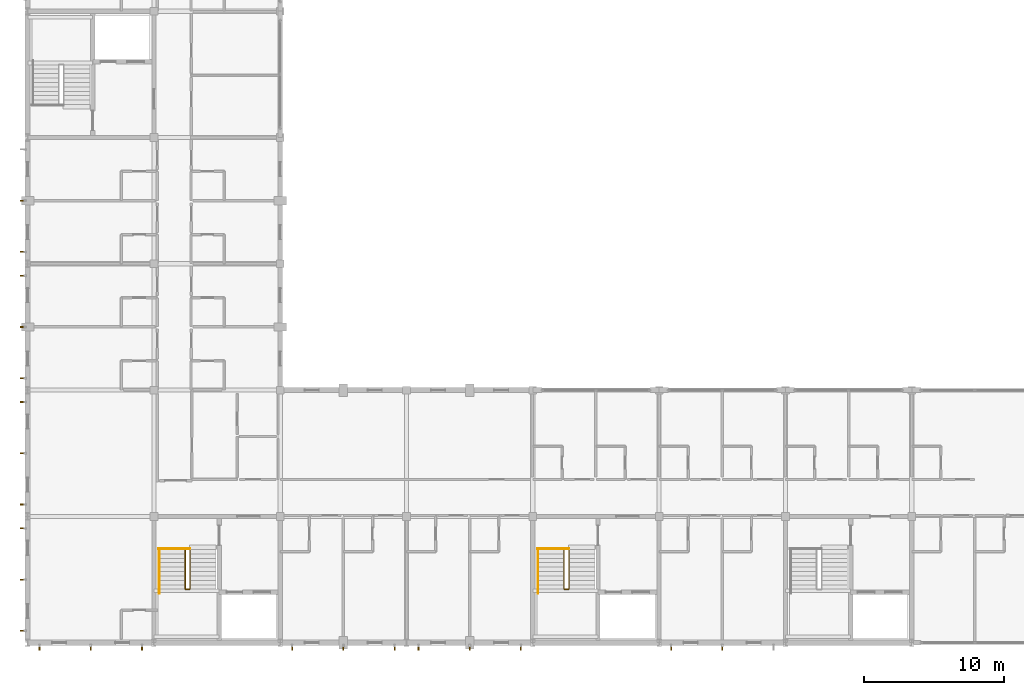
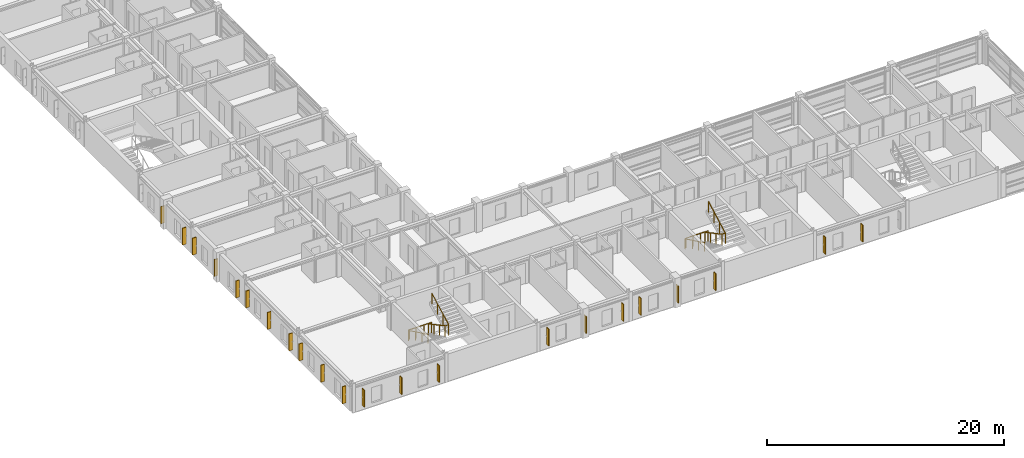
# One storey, part 34 of 37: 22 shading devices, 6 railings.
"""IFC4 building model written with IfcOpenShell, lengths in metres."""

from ifc_helpers import new_model, si_unit, direction, frame, origin, origin_2d, place, context, subcontext, project, spatial, rectangle, circle, extrude, material, type_object, element, save


model = new_model("IFC4")

# Units and contexts
model_context = context("Model", 3, precision=1e-05, world=origin(), true_north=direction((0.0, 1.0)))
body_context = subcontext(model_context, "Body", "Model", "MODEL_VIEW")
ifc_project = project(units=[si_unit("LENGTHUNIT", "METRE"), si_unit("AREAUNIT", "SQUARE_METRE"), si_unit("VOLUMEUNIT", "CUBIC_METRE"), si_unit("PLANEANGLEUNIT", "RADIAN"), si_unit("MASSUNIT", "GRAM", prefix="KILO")], contexts=[model_context])

# Site, building, storey
site_placement = place(None, origin())
site = spatial("IfcSite", under=ifc_project, at=site_placement, CompositionType="ELEMENT")
building_placement = place(site_placement, origin())
building = spatial("IfcBuilding", under=site, at=building_placement, Name="Palais des Congres Ocreval", CompositionType="ELEMENT")
storey_placement = place(building_placement, frame((0.0, 0.0, 11.52001953125)))
storey = spatial("IfcBuildingStorey", under=building, at=storey_placement, Name="L03", CompositionType="ELEMENT", Elevation=11.52001953125)

# Railings
ifc_material_1 = material(Name="Anodized bronze aluminium", Category="aluminium")
railing_type_1 = type_object("IfcRailingType", Name="Bronze Stair and Ramp Handrail 900", PredefinedType="HANDRAIL", material=ifc_material_1)
for number, where, name in (
    (1, (9.3798828125, 6.64990234375, 0.152099609375), "Stair Wall Handrail ST01 L03"),
    (2, (36.3798828125, 6.64990234375, 0.152099609375), "Stair Wall Handrail ST02 L03"),
):
    element("IfcRailing", number, at=place(storey_placement, frame(where)), inside=storey, type_object=railing_type_1, Name=name, PredefinedType="HANDRAIL", context=body_context, shape_type="SweptSolid", body=[
        extrude(circle(Radius=0.02392578125, at=origin_2d()), frame((0.0, 0.0, 0.8759765625), z_axis=(0.0, -0.900648683885, 0.43454798149), x_axis=(1.0, 0.0, 0.0)), (0.0, 0.0, 1.0), 3.497314453125),
        extrude(circle(Radius=0.02099609375, at=origin_2d()), origin(), (0.0, 0.0, 1.0), 0.851806640625),
        extrude(circle(Radius=0.02099609375, at=origin_2d()), frame((0.0, -1.050048828125, 0.506591796875)), (0.0, 0.0, 1.0), 0.851806640625),
        extrude(circle(Radius=0.02099609375, at=origin_2d()), frame((0.0, -2.099853515625, 1.01318359375)), (0.0, 0.0, 1.0), 0.851806640625),
        extrude(circle(Radius=0.02099609375, at=origin_2d()), frame((0.0, -3.14990234375, 1.519775390625)), (0.0, 0.0, 1.0), 0.851806640625),
    ])
ifc_material_2 = material(Name="Steel S355", Category="steel")
railing_type_2 = type_object("IfcRailingType", Name="Stairwell Steel Guardrail 1100", PredefinedType="GUARDRAIL", material=ifc_material_2)
railing_1_placement = place(storey_placement, frame((9.320068359375, 6.699951171875, 0.0)))
element("IfcRailing", 3, at=railing_1_placement, inside=storey, type_object=railing_type_2, Name="Stairwell Landing Edge Guard ST01 L03", PredefinedType="GUARDRAIL", context=body_context, shape_type="SweptSolid", body=[
    extrude(circle(Radius=0.02392578125, at=origin_2d()), frame((0.0, 0.0, 1.076171875), z_axis=(1.0, 0.0, 0.0), x_axis=(0.0, 1.0, 0.0)), (0.0, 0.0, 1.0), 2.25),
    extrude(circle(Radius=0.02099609375, at=origin_2d()), origin(), (0.0, 0.0, 1.0), 1.052001953125),
    extrude(circle(Radius=0.02099609375, at=origin_2d()), frame((0.75, 0.0, 0.0)), (0.0, 0.0, 1.0), 1.052001953125),
    extrude(circle(Radius=0.02099609375, at=origin_2d()), frame((1.5, 0.0, 0.0)), (0.0, 0.0, 1.0), 1.052001953125),
    extrude(circle(Radius=0.02099609375, at=origin_2d()), frame((2.25, 0.0, 0.0)), (0.0, 0.0, 1.0), 1.052001953125),
])
railing_2_placement = place(storey_placement, frame((11.22998046875, 6.64990234375, 0.0)))
element("IfcRailing", 4, at=railing_2_placement, inside=storey, type_object=railing_type_2, Name="Stair Inner Guardrail ST01 L03", PredefinedType="GUARDRAIL", context=body_context, shape_type="SweptSolid", body=[
    extrude(circle(Radius=0.02392578125, at=origin_2d()), frame((0.0, 0.0, 1.076171875), z_axis=(0.0, -0.881312927046, 0.472533093678), x_axis=(1.0, 0.0, 0.0)), (0.0, 0.0, 1.0), 3.216796875),
    extrude(circle(Radius=0.02392578125, at=origin_2d()), frame((0.0, -2.8349609375, 2.59619140625), z_axis=(1.0, 0.0, 0.0), x_axis=(0.0, 1.0, 0.0)), (0.0, 0.0, 1.0), 0.340087890625),
    extrude(circle(Radius=0.02392578125, at=origin_2d()), frame((0.340087890625, -2.8349609375, 2.59619140625), z_axis=(0.0, 0.881312927046, 0.472533093678), x_axis=(-1.0, 0.0, 0.0)), (0.0, 0.0, 1.0), 3.216796875),
    extrude(circle(Radius=0.02099609375, at=origin_2d()), origin(), (0.0, 0.0, 1.0), 1.052001953125),
    extrude(circle(Radius=0.02099609375, at=origin_2d()), frame((0.0, -0.945068359375, 0.506591796875)), (0.0, 0.0, 1.0), 1.052001953125),
    extrude(circle(Radius=0.02099609375, at=origin_2d()), frame((0.0, -1.889892578125, 1.013427734375)), (0.0, 0.0, 1.0), 1.052001953125),
    extrude(circle(Radius=0.02099609375, at=origin_2d()), frame((0.0, -2.8349609375, 1.52001953125)), (0.0, 0.0, 1.0), 1.052001953125),
    extrude(circle(Radius=0.02099609375, at=origin_2d()), frame((0.340087890625, -2.8349609375, 1.52001953125)), (0.0, 0.0, 1.0), 1.052001953125),
    extrude(circle(Radius=0.02099609375, at=origin_2d()), frame((0.340087890625, -1.889892578125, 2.026611328125)), (0.0, 0.0, 1.0), 1.052001953125),
    extrude(circle(Radius=0.02099609375, at=origin_2d()), frame((0.340087890625, -0.945068359375, 2.533447265625)), (0.0, 0.0, 1.0), 1.052001953125),
    extrude(circle(Radius=0.02099609375, at=origin_2d()), frame((0.340087890625, 0.0, 3.0400390625)), (0.0, 0.0, 1.0), 1.052001953125),
])
railing_3_placement = place(storey_placement, frame((36.320068359375, 6.699951171875, 0.0)))
element("IfcRailing", 5, at=railing_3_placement, inside=storey, type_object=railing_type_2, Name="Stairwell Landing Edge Guard ST02 L03", PredefinedType="GUARDRAIL", context=body_context, shape_type="SweptSolid", body=[
    extrude(circle(Radius=0.02392578125, at=origin_2d()), frame((0.0, 0.0, 1.076171875), z_axis=(1.0, 0.0, 0.0), x_axis=(0.0, 1.0, 0.0)), (0.0, 0.0, 1.0), 2.25),
    extrude(circle(Radius=0.02099609375, at=origin_2d()), origin(), (0.0, 0.0, 1.0), 1.052001953125),
    extrude(circle(Radius=0.02099609375, at=origin_2d()), frame((0.75, 0.0, 0.0)), (0.0, 0.0, 1.0), 1.052001953125),
    extrude(circle(Radius=0.02099609375, at=origin_2d()), frame((1.5, 0.0, 0.0)), (0.0, 0.0, 1.0), 1.052001953125),
    extrude(circle(Radius=0.02099609375, at=origin_2d()), frame((2.25, 0.0, 0.0)), (0.0, 0.0, 1.0), 1.052001953125),
])
railing_4_placement = place(storey_placement, frame((38.22998046875, 6.64990234375, 0.0)))
element("IfcRailing", 6, at=railing_4_placement, inside=storey, type_object=railing_type_2, Name="Stair Inner Guardrail ST02 L03", PredefinedType="GUARDRAIL", context=body_context, shape_type="SweptSolid", body=[
    extrude(circle(Radius=0.02392578125, at=origin_2d()), frame((0.0, 0.0, 1.076171875), z_axis=(0.0, -0.881312927046, 0.472533093678), x_axis=(1.0, 0.0, 0.0)), (0.0, 0.0, 1.0), 3.216796875),
    extrude(circle(Radius=0.02392578125, at=origin_2d()), frame((0.0, -2.8349609375, 2.59619140625), z_axis=(1.0, 0.0, 0.0), x_axis=(0.0, 1.0, 0.0)), (0.0, 0.0, 1.0), 0.340087890625),
    extrude(circle(Radius=0.02392578125, at=origin_2d()), frame((0.340087890625, -2.8349609375, 2.59619140625), z_axis=(0.0, 0.881312927046, 0.472533093678), x_axis=(-1.0, 0.0, 0.0)), (0.0, 0.0, 1.0), 3.216796875),
    extrude(circle(Radius=0.02099609375, at=origin_2d()), origin(), (0.0, 0.0, 1.0), 1.052001953125),
    extrude(circle(Radius=0.02099609375, at=origin_2d()), frame((0.0, -0.945068359375, 0.506591796875)), (0.0, 0.0, 1.0), 1.052001953125),
    extrude(circle(Radius=0.02099609375, at=origin_2d()), frame((0.0, -1.889892578125, 1.013427734375)), (0.0, 0.0, 1.0), 1.052001953125),
    extrude(circle(Radius=0.02099609375, at=origin_2d()), frame((0.0, -2.8349609375, 1.52001953125)), (0.0, 0.0, 1.0), 1.052001953125),
    extrude(circle(Radius=0.02099609375, at=origin_2d()), frame((0.340087890625, -2.8349609375, 1.52001953125)), (0.0, 0.0, 1.0), 1.052001953125),
    extrude(circle(Radius=0.02099609375, at=origin_2d()), frame((0.340087890625, -1.889892578125, 2.026611328125)), (0.0, 0.0, 1.0), 1.052001953125),
    extrude(circle(Radius=0.02099609375, at=origin_2d()), frame((0.340087890625, -0.945068359375, 2.533447265625)), (0.0, 0.0, 1.0), 1.052001953125),
    extrude(circle(Radius=0.02099609375, at=origin_2d()), frame((0.340087890625, 0.0, 3.0400390625)), (0.0, 0.0, 1.0), 1.052001953125),
])

# Shading devices
ifc_material_3 = material(Name="Terracotta ceramic", Category="masonry")
shading_device_type = type_object("IfcShadingDeviceType", Name="Terracotta Ceramic Brise-Soleil Fin 360", PredefinedType="JALOUSIE", material=ifc_material_3)
for number, where, z_axis, x_axis, name in (
    (7, (49.5, -0.360107421875, 0.47509765625), (0.0, 0.0, 1.0), (0.0, -1.0, 0.0), "Ceramic Celosia Sun-Fin SD01"),
    (8, (45.85009765625, -0.360107421875, 0.47509765625), (0.0, 0.0, 1.0), (0.0, -1.0, 0.0), "Ceramic Celosia Sun-Fin SD01"),
    (9, (35.14990234375, -0.360107421875, 0.47509765625), (0.0, 0.0, 1.0), (0.0, -1.0, 0.0), "Ceramic Celosia Sun-Fin SD01"),
    (10, (31.5, -0.360107421875, 0.47509765625), (0.0, 0.0, 1.0), (0.0, -1.0, 0.0), "Ceramic Celosia Sun-Fin SD01"),
    (11, (27.85009765625, -0.360107421875, 0.47509765625), (0.0, 0.0, 1.0), (0.0, -1.0, 0.0), "Ceramic Celosia Sun-Fin SD01"),
    (12, (26.14990234375, -0.360107421875, 0.47509765625), (0.0, 0.0, 1.0), (0.0, -1.0, 0.0), "Ceramic Celosia Sun-Fin SD01"),
    (13, (22.5, -0.360107421875, 0.47509765625), (0.0, 0.0, 1.0), (0.0, -1.0, 0.0), "Ceramic Celosia Sun-Fin SD01"),
    (14, (18.85009765625, -0.360107421875, 0.47509765625), (0.0, 0.0, 1.0), (0.0, -1.0, 0.0), "Ceramic Celosia Sun-Fin SD01"),
    (15, (8.14990234375, -0.360107421875, 0.47509765625), (0.0, 0.0, 1.0), (0.0, -1.0, 0.0), "Ceramic Celosia Sun-Fin SD01"),
    (16, (4.5, -0.360107421875, 0.47509765625), (0.0, 0.0, 1.0), (0.0, -1.0, 0.0), "Ceramic Celosia Sun-Fin SD01"),
    (17, (0.85009765625, -0.360107421875, 0.47509765625), (0.0, 0.0, 1.0), (0.0, -1.0, 0.0), "Ceramic Celosia Sun-Fin SD01"),
    (18, (-0.360107421875, 0.85009765625, 0.47509765625), (0.0, 0.0, 1.0), (-1.0, 0.0, 0.0), "Ceramic Celosia Sun-Fin SD01"),
    (19, (-0.360107421875, 4.5, 0.47509765625), (0.0, 0.0, 1.0), (-1.0, 0.0, 0.0), "Ceramic Celosia Sun-Fin SD01"),
    (20, (-0.360107421875, 8.14990234375, 0.47509765625), (0.0, 0.0, 1.0), (-1.0, 0.0, 0.0), "Ceramic Celosia Sun-Fin SD01"),
    (21, (-0.360107421875, 9.85009765625, 0.47509765625), (0.0, 0.0, 1.0), (-1.0, 0.0, 0.0), "Ceramic Celosia Sun-Fin SD01"),
    (22, (-0.360107421875, 13.5, 0.47509765625), (0.0, 0.0, 1.0), (-1.0, 0.0, 0.0), "Ceramic Celosia Sun-Fin SD01"),
    (23, (-0.360107421875, 17.14990234375, 0.47509765625), (0.0, 0.0, 1.0), (-1.0, 0.0, 0.0), "Ceramic Celosia Sun-Fin SD01"),
    (24, (-0.360107421875, 18.85009765625, 0.47509765625), (0.0, 0.0, 1.0), (-1.0, 0.0, 0.0), "Ceramic Celosia Sun-Fin SD01"),
    (25, (-0.360107421875, 22.5, 0.47509765625), (0.0, 0.0, 1.0), (-1.0, 0.0, 0.0), "Ceramic Celosia Sun-Fin SD01"),
    (26, (-0.360107421875, 26.14990234375, 0.47509765625), (0.0, 0.0, 1.0), (-1.0, 0.0, 0.0), "Ceramic Celosia Sun-Fin SD01"),
    (27, (-0.360107421875, 27.85009765625, 0.47509765625), (0.0, 0.0, 1.0), (-1.0, 0.0, 0.0), "Ceramic Celosia Sun-Fin SD01"),
    (28, (-0.360107421875, 31.5, 0.47509765625), (0.0, 0.0, 1.0), (-1.0, 0.0, 0.0), "Ceramic Celosia Sun-Fin SD01"),
):
    element("IfcShadingDevice", number, at=place(storey_placement, frame(where, z_axis=z_axis, x_axis=x_axis)), inside=storey, type_object=shading_device_type, Name=name, PredefinedType="JALOUSIE", context=body_context, shape_type="SweptSolid", body=[
        extrude(rectangle(XDim=0.360107421875, YDim=0.080078125, at=origin_2d()), origin(), (0.0, 0.0, 1.0), 1.75),
    ])

save(model, "model.ifc")
